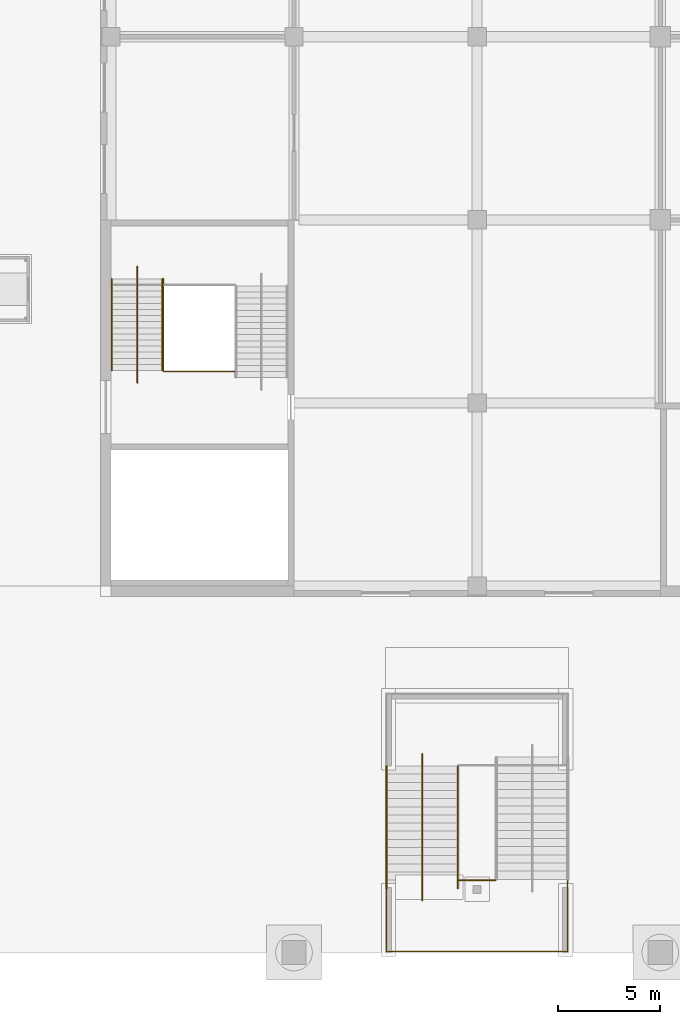
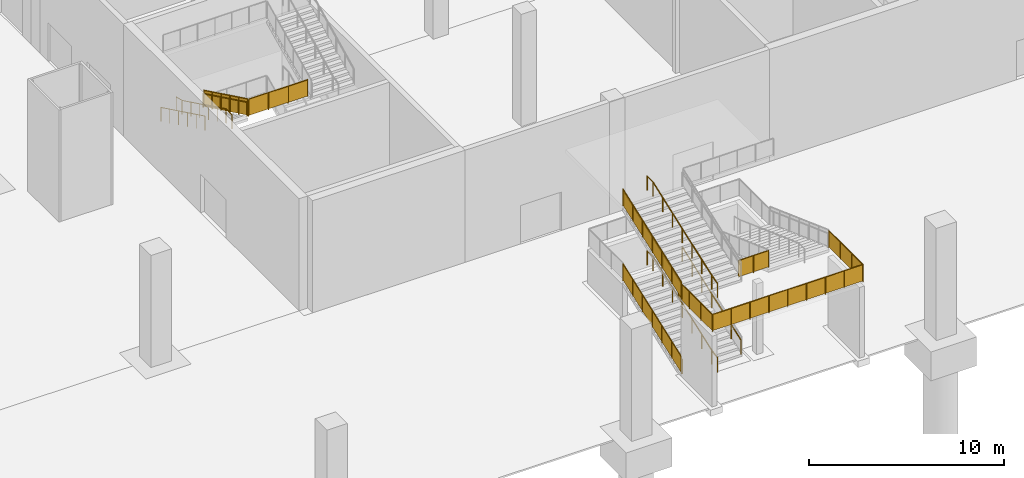
# One storey, part 51 of 92: 14 railings.
"""IFC4 building model written with IfcOpenShell, lengths in metres."""

from ifc_helpers import new_model, si_unit, direction, frame, origin, origin_2d, place, context, subcontext, project, spatial, polyline, circle, outline, extrude, material, type_object, element, save


model = new_model("IFC4")

# Units and contexts
model_context = context("Model", 3, precision=1e-05, world=origin(), true_north=direction((0.0, 1.0)))
body_context = subcontext(model_context, "Body", "Model", "MODEL_VIEW")
ifc_project = project(units=[si_unit("LENGTHUNIT", "METRE"), si_unit("AREAUNIT", "SQUARE_METRE"), si_unit("VOLUMEUNIT", "CUBIC_METRE"), si_unit("PLANEANGLEUNIT", "RADIAN"), si_unit("MASSUNIT", "GRAM", prefix="KILO")], contexts=[model_context])

# Site, building, storey
site_placement = place(None, origin())
site = spatial("IfcSite", under=ifc_project, at=site_placement, CompositionType="ELEMENT")
building_placement = place(site_placement, origin())
building = spatial("IfcBuilding", under=site, at=building_placement, Name="Silverbay Arena", CompositionType="ELEMENT")
storey_placement = place(building_placement, origin())
storey = spatial("IfcBuildingStorey", under=building, at=storey_placement, Name="L00", CompositionType="ELEMENT", Elevation=0.0)

# Railings
ifc_material_1 = material(Name="Stainless steel", Category="steel")
railing_type_1 = type_object("IfcRailingType", Name="Stair guard 1100", PredefinedType="GUARDRAIL", material=ifc_material_1)
railing_1_placement = place(storey_placement, frame((29.574951171875, 33.10009765625, 2.479248046875)))
element("IfcRailing", 1, at=railing_1_placement, inside=storey, type_object=railing_type_1, Name="Stair ST-WG1 L00 to L01 flight 2 guard left", PredefinedType="GUARDRAIL", context=body_context, shape_type="SweptSolid", body=[
    extrude(circle(Radius=0.02392578125, at=origin_2d()), frame((0.0, 0.0, 1.076171875), z_axis=(0.0, -0.899367854138, 0.437192706873), x_axis=(1.0, 0.0, 0.0)), (0.0, 0.0, 1.0), 5.00341796875),
    extrude(outline(polyline([(-0.008056640625, 0.046142578125), (0.907958984375, 0.491455078125), (0.907958984375, 1.494384765625), (-0.008056640625, 1.049072265625), (-0.008056640625, 0.046142578125)])), frame((0.0029296875, 0.0, 0.0), z_axis=(-1.0, 0.0, 0.0), x_axis=(0.0, -1.0, 0.0)), (0.0, 0.0, 1.0), 0.006103515625),
    extrude(outline(polyline([(-0.008056640625, 0.483642578125), (0.907958984375, 0.928955078125), (0.907958984375, 1.931884765625), (-0.008056640625, 1.486572265625), (-0.008056640625, 0.483642578125)])), frame((0.0029296875, -0.89990234375, 0.0), z_axis=(-1.0, 0.0, 0.0), x_axis=(0.0, -1.0, 0.0)), (0.0, 0.0, 1.0), 0.006103515625),
    extrude(outline(polyline([(-0.008056640625, 0.921142578125), (0.907958984375, 1.366455078125), (0.907958984375, 2.369384765625), (-0.008056640625, 1.924072265625), (-0.008056640625, 0.921142578125)])), frame((0.0029296875, -1.800048828125, 0.0), z_axis=(-1.0, 0.0, 0.0), x_axis=(0.0, -1.0, 0.0)), (0.0, 0.0, 1.0), 0.006103515625),
    extrude(outline(polyline([(-0.008056640625, 1.358642578125), (0.907958984375, 1.803955078125), (0.907958984375, 2.806884765625), (-0.008056640625, 2.361572265625), (-0.008056640625, 1.358642578125)])), frame((0.0029296875, -2.699951171875, 0.0), z_axis=(-1.0, 0.0, 0.0), x_axis=(0.0, -1.0, 0.0)), (0.0, 0.0, 1.0), 0.006103515625),
    extrude(outline(polyline([(-0.008056640625, 1.796142578125), (0.907958984375, 2.241455078125), (0.907958984375, 3.244384765625), (-0.008056640625, 2.799072265625), (-0.008056640625, 1.796142578125)])), frame((0.0029296875, -3.60009765625, 0.0), z_axis=(-1.0, 0.0, 0.0), x_axis=(0.0, -1.0, 0.0)), (0.0, 0.0, 1.0), 0.006103515625),
    extrude(circle(Radius=0.02099609375, at=origin_2d()), origin(), (0.0, 0.0, 1.0), 1.052001953125),
    extrude(circle(Radius=0.02099609375, at=origin_2d()), frame((0.0, -0.89990234375, 0.4375)), (0.0, 0.0, 1.0), 1.052001953125),
    extrude(circle(Radius=0.02099609375, at=origin_2d()), frame((0.0, -1.800048828125, 0.875)), (0.0, 0.0, 1.0), 1.052001953125),
    extrude(circle(Radius=0.02099609375, at=origin_2d()), frame((0.0, -2.699951171875, 1.3125)), (0.0, 0.0, 1.0), 1.052001953125),
    extrude(circle(Radius=0.02099609375, at=origin_2d()), frame((0.0, -3.60009765625, 1.75)), (0.0, 0.0, 1.0), 1.052001953125),
    extrude(circle(Radius=0.02099609375, at=origin_2d()), frame((0.0, -4.5, 2.1875)), (0.0, 0.0, 1.0), 1.052001953125),
])
railing_2_placement = place(storey_placement, frame((33.10009765625, 28.550048828125, 4.666748046875)))
element("IfcRailing", 2, at=railing_2_placement, inside=storey, type_object=railing_type_1, Name="Stair ST-WG1 L00 to L01 landing 2 guard", PredefinedType="GUARDRAIL", context=body_context, shape_type="SweptSolid", body=[
    extrude(circle(Radius=0.02392578125, at=origin_2d()), frame((0.0, 0.0, 1.076171875), z_axis=(-1.0, 0.0, 0.0), x_axis=(0.0, -1.0, 0.0)), (0.0, 0.0, 1.0), 3.5),
    extrude(outline(polyline([(-0.008056640625, 0.050048828125), (1.174560546875, 0.050048828125), (1.174560546875, 1.052978515625), (-0.008056640625, 1.052978515625), (-0.008056640625, 0.050048828125)])), frame((0.0, -0.0029296875, 0.0), z_axis=(0.0, 1.0, 0.0), x_axis=(-1.0, 0.0, 0.0)), (0.0, 0.0, 1.0), 0.006103515625),
    extrude(outline(polyline([(-0.008056640625, 0.050048828125), (1.174560546875, 0.050048828125), (1.174560546875, 1.052978515625), (-0.008056640625, 1.052978515625), (-0.008056640625, 0.050048828125)])), frame((-1.166748046875, -0.0029296875, 0.0), z_axis=(0.0, 1.0, 0.0), x_axis=(-1.0, 0.0, 0.0)), (0.0, 0.0, 1.0), 0.006103515625),
    extrude(outline(polyline([(-0.008056640625, 0.050048828125), (1.174560546875, 0.050048828125), (1.174560546875, 1.052978515625), (-0.008056640625, 1.052978515625), (-0.008056640625, 0.050048828125)])), frame((-2.333251953125, -0.0029296875, 0.0), z_axis=(0.0, 1.0, 0.0), x_axis=(-1.0, 0.0, 0.0)), (0.0, 0.0, 1.0), 0.006103515625),
    extrude(circle(Radius=0.02099609375, at=origin_2d()), origin(), (0.0, 0.0, 1.0), 1.052001953125),
    extrude(circle(Radius=0.02099609375, at=origin_2d()), frame((-1.166748046875, 0.0, 0.0)), (0.0, 0.0, 1.0), 1.052001953125),
    extrude(circle(Radius=0.02099609375, at=origin_2d()), frame((-2.333251953125, 0.0, 0.0)), (0.0, 0.0, 1.0), 1.052001953125),
    extrude(circle(Radius=0.02099609375, at=origin_2d()), frame((-3.5, 0.0, 0.0)), (0.0, 0.0, 1.0), 1.052001953125),
])
railing_3_placement = place(storey_placement, frame((40.52490234375, 3.162109375, 0.145751953125)))
element("IfcRailing", 3, at=railing_3_placement, inside=storey, type_object=railing_type_1, Name="Deck stair DS3 flight 1 guard left", PredefinedType="GUARDRAIL", context=body_context, shape_type="SweptSolid", body=[
    extrude(circle(Radius=0.02392578125, at=origin_2d()), frame((0.0, 0.0, 1.076171875), z_axis=(0.0, 0.939507356738, 0.342528723811), x_axis=(-1.0, 0.0, 0.0)), (0.0, 0.0, 1.0), 6.38623046875),
    extrude(outline(polyline([(-0.008056640625, 0.047119140625), (1.008056640625, 0.41748046875), (1.008056640625, 1.42041015625), (-0.008056640625, 1.050048828125), (-0.008056640625, 0.047119140625)])), frame((-0.0029296875, 0.0, 0.0), z_axis=(1.0, 0.0, 0.0), x_axis=(0.0, 1.0, 0.0)), (0.0, 0.0, 1.0), 0.006103515625),
    extrude(outline(polyline([(-0.008056640625, 0.41162109375), (1.008056640625, 0.781982421875), (1.008056640625, 1.78515625), (-0.008056640625, 1.41455078125), (-0.008056640625, 0.41162109375)])), frame((-0.0029296875, 1.0, 0.0), z_axis=(1.0, 0.0, 0.0), x_axis=(0.0, 1.0, 0.0)), (0.0, 0.0, 1.0), 0.006103515625),
    extrude(outline(polyline([(-0.008056640625, 0.7763671875), (1.008056640625, 1.146728515625), (1.008056640625, 2.149658203125), (-0.008056640625, 1.779296875), (-0.008056640625, 0.7763671875)])), frame((-0.0029296875, 2.0, 0.0), z_axis=(1.0, 0.0, 0.0), x_axis=(0.0, 1.0, 0.0)), (0.0, 0.0, 1.0), 0.006103515625),
    extrude(outline(polyline([(-0.008056640625, 1.140869140625), (1.008056640625, 1.51123046875), (1.008056640625, 2.51416015625), (-0.008056640625, 2.143798828125), (-0.008056640625, 1.140869140625)])), frame((-0.0029296875, 3.0, 0.0), z_axis=(1.0, 0.0, 0.0), x_axis=(0.0, 1.0, 0.0)), (0.0, 0.0, 1.0), 0.006103515625),
    extrude(outline(polyline([(-0.008056640625, 1.50537109375), (1.008056640625, 1.875732421875), (1.008056640625, 2.87890625), (-0.008056640625, 2.50830078125), (-0.008056640625, 1.50537109375)])), frame((-0.0029296875, 4.0, 0.0), z_axis=(1.0, 0.0, 0.0), x_axis=(0.0, 1.0, 0.0)), (0.0, 0.0, 1.0), 0.006103515625),
    extrude(outline(polyline([(-0.008056640625, 1.8701171875), (1.008056640625, 2.240478515625), (1.008056640625, 3.243408203125), (-0.008056640625, 2.873046875), (-0.008056640625, 1.8701171875)])), frame((-0.0029296875, 5.0, 0.0), z_axis=(1.0, 0.0, 0.0), x_axis=(0.0, 1.0, 0.0)), (0.0, 0.0, 1.0), 0.006103515625),
    extrude(circle(Radius=0.02099609375, at=origin_2d()), origin(), (0.0, 0.0, 1.0), 1.052001953125),
    extrude(circle(Radius=0.02099609375, at=origin_2d()), frame((0.0, 1.0, 0.364501953125)), (0.0, 0.0, 1.0), 1.052001953125),
    extrude(circle(Radius=0.02099609375, at=origin_2d()), frame((0.0, 2.0, 0.729248046875)), (0.0, 0.0, 1.0), 1.052001953125),
    extrude(circle(Radius=0.02099609375, at=origin_2d()), frame((0.0, 3.0, 1.09375)), (0.0, 0.0, 1.0), 1.052001953125),
    extrude(circle(Radius=0.02099609375, at=origin_2d()), frame((0.0, 4.0, 1.458251953125)), (0.0, 0.0, 1.0), 1.052001953125),
    extrude(circle(Radius=0.02099609375, at=origin_2d()), frame((0.0, 5.0, 1.822998046875)), (0.0, 0.0, 1.0), 1.052001953125),
    extrude(circle(Radius=0.02099609375, at=origin_2d()), frame((0.0, 6.0, 2.1875)), (0.0, 0.0, 1.0), 1.052001953125),
])
railing_4_placement = place(storey_placement, frame((40.52490234375, 3.162109375, 4.8125)))
element("IfcRailing", 4, at=railing_4_placement, inside=storey, type_object=railing_type_1, Name="Deck stair DS3 flight 3 guard left", PredefinedType="GUARDRAIL", context=body_context, shape_type="SweptSolid", body=[
    extrude(circle(Radius=0.02392578125, at=origin_2d()), frame((0.0, 0.0, 1.076171875), z_axis=(0.0, 0.939507356738, 0.342528723811), x_axis=(-1.0, 0.0, 0.0)), (0.0, 0.0, 1.0), 6.38623046875),
    extrude(outline(polyline([(-0.008056640625, 0.047119140625), (1.008056640625, 0.41748046875), (1.008056640625, 1.42041015625), (-0.008056640625, 1.050048828125), (-0.008056640625, 0.047119140625)])), frame((-0.0029296875, 0.0, 0.0), z_axis=(1.0, 0.0, 0.0), x_axis=(0.0, 1.0, 0.0)), (0.0, 0.0, 1.0), 0.006103515625),
    extrude(outline(polyline([(-0.008056640625, 0.41162109375), (1.008056640625, 0.781982421875), (1.008056640625, 1.78515625), (-0.008056640625, 1.41455078125), (-0.008056640625, 0.41162109375)])), frame((-0.0029296875, 1.0, 0.0), z_axis=(1.0, 0.0, 0.0), x_axis=(0.0, 1.0, 0.0)), (0.0, 0.0, 1.0), 0.006103515625),
    extrude(outline(polyline([(-0.008056640625, 0.7763671875), (1.008056640625, 1.146728515625), (1.008056640625, 2.149658203125), (-0.008056640625, 1.779296875), (-0.008056640625, 0.7763671875)])), frame((-0.0029296875, 2.0, 0.0), z_axis=(1.0, 0.0, 0.0), x_axis=(0.0, 1.0, 0.0)), (0.0, 0.0, 1.0), 0.006103515625),
    extrude(outline(polyline([(-0.008056640625, 1.140869140625), (1.008056640625, 1.51123046875), (1.008056640625, 2.51416015625), (-0.008056640625, 2.143798828125), (-0.008056640625, 1.140869140625)])), frame((-0.0029296875, 3.0, 0.0), z_axis=(1.0, 0.0, 0.0), x_axis=(0.0, 1.0, 0.0)), (0.0, 0.0, 1.0), 0.006103515625),
    extrude(outline(polyline([(-0.008056640625, 1.50537109375), (1.008056640625, 1.875732421875), (1.008056640625, 2.87890625), (-0.008056640625, 2.50830078125), (-0.008056640625, 1.50537109375)])), frame((-0.0029296875, 4.0, 0.0), z_axis=(1.0, 0.0, 0.0), x_axis=(0.0, 1.0, 0.0)), (0.0, 0.0, 1.0), 0.006103515625),
    extrude(outline(polyline([(-0.008056640625, 1.8701171875), (1.008056640625, 2.240478515625), (1.008056640625, 3.243408203125), (-0.008056640625, 2.873046875), (-0.008056640625, 1.8701171875)])), frame((-0.0029296875, 5.0, 0.0), z_axis=(1.0, 0.0, 0.0), x_axis=(0.0, 1.0, 0.0)), (0.0, 0.0, 1.0), 0.006103515625),
    extrude(circle(Radius=0.02099609375, at=origin_2d()), origin(), (0.0, 0.0, 1.0), 1.052001953125),
    extrude(circle(Radius=0.02099609375, at=origin_2d()), frame((0.0, 1.0, 0.364501953125)), (0.0, 0.0, 1.0), 1.052001953125),
    extrude(circle(Radius=0.02099609375, at=origin_2d()), frame((0.0, 2.0, 0.729248046875)), (0.0, 0.0, 1.0), 1.052001953125),
    extrude(circle(Radius=0.02099609375, at=origin_2d()), frame((0.0, 3.0, 1.09375)), (0.0, 0.0, 1.0), 1.052001953125),
    extrude(circle(Radius=0.02099609375, at=origin_2d()), frame((0.0, 4.0, 1.458251953125)), (0.0, 0.0, 1.0), 1.052001953125),
    extrude(circle(Radius=0.02099609375, at=origin_2d()), frame((0.0, 5.0, 1.822998046875)), (0.0, 0.0, 1.0), 1.052001953125),
    extrude(circle(Radius=0.02099609375, at=origin_2d()), frame((0.0, 6.0, 2.1875)), (0.0, 0.0, 1.0), 1.052001953125),
])
railing_5_placement = place(storey_placement, frame((40.550048828125, 3.550048828125, 4.666748046875)))
element("IfcRailing", 5, at=railing_5_placement, inside=storey, type_object=railing_type_1, Name="Deck stair DS3 landing 2 guard", PredefinedType="GUARDRAIL", context=body_context, shape_type="SweptSolid", body=[
    extrude(circle(Radius=0.02392578125, at=origin_2d()), frame((0.0, 0.0, 1.076171875), z_axis=(0.0, -1.0, 0.0), x_axis=(1.0, 0.0, 0.0)), (0.0, 0.0, 1.0), 3.5),
    extrude(outline(polyline([(-0.008056640625, 0.050048828125), (1.174560546875, 0.050048828125), (1.174560546875, 1.052978515625), (-0.008056640625, 1.052978515625), (-0.008056640625, 0.050048828125)])), frame((0.0029296875, 0.0, 0.0), z_axis=(-1.0, 0.0, 0.0), x_axis=(0.0, -1.0, 0.0)), (0.0, 0.0, 1.0), 0.006103515625),
    extrude(outline(polyline([(-0.008056640625, 0.050048828125), (1.174560546875, 0.050048828125), (1.174560546875, 1.052978515625), (-0.008056640625, 1.052978515625), (-0.008056640625, 0.050048828125)])), frame((0.0029296875, -1.166748046875, 0.0), z_axis=(-1.0, 0.0, 0.0), x_axis=(0.0, -1.0, 0.0)), (0.0, 0.0, 1.0), 0.006103515625),
    extrude(outline(polyline([(-0.008056640625, 0.050048828125), (1.174560546875, 0.050048828125), (1.174560546875, 1.052978515625), (-0.008056640625, 1.052978515625), (-0.008056640625, 0.050048828125)])), frame((0.0029296875, -2.333251953125, 0.0), z_axis=(-1.0, 0.0, 0.0), x_axis=(0.0, -1.0, 0.0)), (0.0, 0.0, 1.0), 0.006103515625),
    extrude(circle(Radius=0.02392578125, at=origin_2d()), frame((0.0, -3.5, 1.076171875), z_axis=(1.0, 0.0, 0.0), x_axis=(0.0, 1.0, 0.0)), (0.0, 0.0, 1.0), 8.89990234375),
    extrude(outline(polyline([(-0.008056640625, 0.050048828125), (1.12060546875, 0.050048828125), (1.12060546875, 1.052978515625), (-0.008056640625, 1.052978515625), (-0.008056640625, 0.050048828125)])), frame((0.0, -3.4970703125, 0.0), z_axis=(0.0, -1.0, 0.0), x_axis=(1.0, 0.0, 0.0)), (0.0, 0.0, 1.0), 0.006103515625),
    extrude(outline(polyline([(-0.008056640625, 0.050048828125), (1.12060546875, 0.050048828125), (1.12060546875, 1.052978515625), (-0.008056640625, 1.052978515625), (-0.008056640625, 0.050048828125)])), frame((1.112548828125, -3.4970703125, 0.0), z_axis=(0.0, -1.0, 0.0), x_axis=(1.0, 0.0, 0.0)), (0.0, 0.0, 1.0), 0.006103515625),
    extrude(outline(polyline([(-0.008056640625, 0.050048828125), (1.12060546875, 0.050048828125), (1.12060546875, 1.052978515625), (-0.008056640625, 1.052978515625), (-0.008056640625, 0.050048828125)])), frame((2.22509765625, -3.4970703125, 0.0), z_axis=(0.0, -1.0, 0.0), x_axis=(1.0, 0.0, 0.0)), (0.0, 0.0, 1.0), 0.006103515625),
    extrude(outline(polyline([(-0.008056640625, 0.050048828125), (1.12060546875, 0.050048828125), (1.12060546875, 1.052978515625), (-0.008056640625, 1.052978515625), (-0.008056640625, 0.050048828125)])), frame((3.33740234375, -3.4970703125, 0.0), z_axis=(0.0, -1.0, 0.0), x_axis=(1.0, 0.0, 0.0)), (0.0, 0.0, 1.0), 0.006103515625),
    extrude(outline(polyline([(-0.008056640625, 0.050048828125), (1.12060546875, 0.050048828125), (1.12060546875, 1.052978515625), (-0.008056640625, 1.052978515625), (-0.008056640625, 0.050048828125)])), frame((4.449951171875, -3.4970703125, 0.0), z_axis=(0.0, -1.0, 0.0), x_axis=(1.0, 0.0, 0.0)), (0.0, 0.0, 1.0), 0.006103515625),
    extrude(outline(polyline([(-0.008056640625, 0.050048828125), (1.12060546875, 0.050048828125), (1.12060546875, 1.052978515625), (-0.008056640625, 1.052978515625), (-0.008056640625, 0.050048828125)])), frame((5.5625, -3.4970703125, 0.0), z_axis=(0.0, -1.0, 0.0), x_axis=(1.0, 0.0, 0.0)), (0.0, 0.0, 1.0), 0.006103515625),
    extrude(outline(polyline([(-0.008056640625, 0.050048828125), (1.12060546875, 0.050048828125), (1.12060546875, 1.052978515625), (-0.008056640625, 1.052978515625), (-0.008056640625, 0.050048828125)])), frame((6.6748046875, -3.4970703125, 0.0), z_axis=(0.0, -1.0, 0.0), x_axis=(1.0, 0.0, 0.0)), (0.0, 0.0, 1.0), 0.006103515625),
    extrude(outline(polyline([(-0.008056640625, 0.050048828125), (1.12060546875, 0.050048828125), (1.12060546875, 1.052978515625), (-0.008056640625, 1.052978515625), (-0.008056640625, 0.050048828125)])), frame((7.787353515625, -3.4970703125, 0.0), z_axis=(0.0, -1.0, 0.0), x_axis=(1.0, 0.0, 0.0)), (0.0, 0.0, 1.0), 0.006103515625),
    extrude(circle(Radius=0.02392578125, at=origin_2d()), frame((8.89990234375, -3.5, 1.076171875), z_axis=(0.0, 1.0, 0.0), x_axis=(-1.0, 0.0, 0.0)), (0.0, 0.0, 1.0), 3.5),
    extrude(outline(polyline([(-0.008056640625, 0.050048828125), (1.174560546875, 0.050048828125), (1.174560546875, 1.052978515625), (-0.008056640625, 1.052978515625), (-0.008056640625, 0.050048828125)])), frame((8.89697265625, -3.5, 0.0), z_axis=(1.0, 0.0, 0.0), x_axis=(0.0, 1.0, 0.0)), (0.0, 0.0, 1.0), 0.006103515625),
    extrude(outline(polyline([(-0.008056640625, 0.050048828125), (1.174560546875, 0.050048828125), (1.174560546875, 1.052978515625), (-0.008056640625, 1.052978515625), (-0.008056640625, 0.050048828125)])), frame((8.89697265625, -2.333251953125, 0.0), z_axis=(1.0, 0.0, 0.0), x_axis=(0.0, 1.0, 0.0)), (0.0, 0.0, 1.0), 0.006103515625),
    extrude(outline(polyline([(-0.008056640625, 0.050048828125), (1.174560546875, 0.050048828125), (1.174560546875, 1.052978515625), (-0.008056640625, 1.052978515625), (-0.008056640625, 0.050048828125)])), frame((8.89697265625, -1.166748046875, 0.0), z_axis=(1.0, 0.0, 0.0), x_axis=(0.0, 1.0, 0.0)), (0.0, 0.0, 1.0), 0.006103515625),
    extrude(circle(Radius=0.02099609375, at=origin_2d()), origin(), (0.0, 0.0, 1.0), 1.052001953125),
    extrude(circle(Radius=0.02099609375, at=origin_2d()), frame((0.0, -1.166748046875, 0.0)), (0.0, 0.0, 1.0), 1.052001953125),
    extrude(circle(Radius=0.02099609375, at=origin_2d()), frame((0.0, -2.333251953125, 0.0)), (0.0, 0.0, 1.0), 1.052001953125),
    extrude(circle(Radius=0.02099609375, at=origin_2d()), frame((0.0, -3.5, 0.0)), (0.0, 0.0, 1.0), 1.052001953125),
    extrude(circle(Radius=0.02099609375, at=origin_2d()), frame((1.112548828125, -3.5, 0.0)), (0.0, 0.0, 1.0), 1.052001953125),
    extrude(circle(Radius=0.02099609375, at=origin_2d()), frame((2.22509765625, -3.5, 0.0)), (0.0, 0.0, 1.0), 1.052001953125),
    extrude(circle(Radius=0.02099609375, at=origin_2d()), frame((3.33740234375, -3.5, 0.0)), (0.0, 0.0, 1.0), 1.052001953125),
    extrude(circle(Radius=0.02099609375, at=origin_2d()), frame((4.449951171875, -3.5, 0.0)), (0.0, 0.0, 1.0), 1.052001953125),
    extrude(circle(Radius=0.02099609375, at=origin_2d()), frame((5.5625, -3.5, 0.0)), (0.0, 0.0, 1.0), 1.052001953125),
    extrude(circle(Radius=0.02099609375, at=origin_2d()), frame((6.6748046875, -3.5, 0.0)), (0.0, 0.0, 1.0), 1.052001953125),
    extrude(circle(Radius=0.02099609375, at=origin_2d()), frame((7.787353515625, -3.5, 0.0)), (0.0, 0.0, 1.0), 1.052001953125),
    extrude(circle(Radius=0.02099609375, at=origin_2d()), frame((8.89990234375, -3.5, 0.0)), (0.0, 0.0, 1.0), 1.052001953125),
    extrude(circle(Radius=0.02099609375, at=origin_2d()), frame((8.89990234375, -2.333251953125, 0.0)), (0.0, 0.0, 1.0), 1.052001953125),
    extrude(circle(Radius=0.02099609375, at=origin_2d()), frame((8.89990234375, -1.166748046875, 0.0)), (0.0, 0.0, 1.0), 1.052001953125),
    extrude(circle(Radius=0.02099609375, at=origin_2d()), frame((8.89990234375, 0.0, 0.0)), (0.0, 0.0, 1.0), 1.052001953125),
])
railing_6_placement = place(storey_placement, frame((44.10009765625, 3.550048828125, 4.666748046875)))
element("IfcRailing", 6, at=railing_6_placement, inside=storey, type_object=railing_type_1, Name="Deck stair DS3 landing 2 guard", PredefinedType="GUARDRAIL", context=body_context, shape_type="SweptSolid", body=[
    extrude(circle(Radius=0.02392578125, at=origin_2d()), frame((0.0, 0.0, 1.076171875), z_axis=(1.0, 0.0, 0.0), x_axis=(0.0, 1.0, 0.0)), (0.0, 0.0, 1.0), 1.7998046875),
    extrude(outline(polyline([(-0.008056640625, 0.050048828125), (0.907958984375, 0.050048828125), (0.907958984375, 1.052978515625), (-0.008056640625, 1.052978515625), (-0.008056640625, 0.050048828125)])), frame((0.0, 0.0029296875, 0.0), z_axis=(0.0, -1.0, 0.0), x_axis=(1.0, 0.0, 0.0)), (0.0, 0.0, 1.0), 0.006103515625),
    extrude(outline(polyline([(-0.008056640625, 0.050048828125), (0.907958984375, 0.050048828125), (0.907958984375, 1.052978515625), (-0.008056640625, 1.052978515625), (-0.008056640625, 0.050048828125)])), frame((0.89990234375, 0.0029296875, 0.0), z_axis=(0.0, -1.0, 0.0), x_axis=(1.0, 0.0, 0.0)), (0.0, 0.0, 1.0), 0.006103515625),
    extrude(circle(Radius=0.02099609375, at=origin_2d()), origin(), (0.0, 0.0, 1.0), 1.052001953125),
    extrude(circle(Radius=0.02099609375, at=origin_2d()), frame((0.89990234375, 0.0, 0.0)), (0.0, 0.0, 1.0), 1.052001953125),
    extrude(circle(Radius=0.02099609375, at=origin_2d()), frame((1.7998046875, 0.0, 0.0)), (0.0, 0.0, 1.0), 1.052001953125),
])
ifc_material_2 = material(Name="Stainless steel", Category="steel")
railing_type_2 = type_object("IfcRailingType", Name="Stair handrail 900", PredefinedType="HANDRAIL", material=ifc_material_2)
for number, where, name in (
    (7, (29.535888671875, 33.10009765625, 2.479248046875), "Stair ST-WG1 L00 to L01 flight 2 handrail left"),
    (8, (27.050048828125, 33.10009765625, 2.479248046875), "Stair ST-WG1 L00 to L01 flight 2 handrail right"),
):
    element("IfcRailing", number, at=place(storey_placement, frame(where)), inside=storey, type_object=railing_type_2, Name=name, PredefinedType="HANDRAIL", context=body_context, shape_type="SweptSolid", body=[
        extrude(circle(Radius=0.02392578125, at=origin_2d()), frame((0.0, 0.0, 0.8759765625), z_axis=(0.0, -0.899367854138, 0.437192706873), x_axis=(1.0, 0.0, 0.0)), (0.0, 0.0, 1.0), 5.00341796875),
        extrude(circle(Radius=0.02099609375, at=origin_2d()), origin(), (0.0, 0.0, 1.0), 0.851806640625),
        extrude(circle(Radius=0.02099609375, at=origin_2d()), frame((0.0, -0.89990234375, 0.4375)), (0.0, 0.0, 1.0), 0.851806640625),
        extrude(circle(Radius=0.02099609375, at=origin_2d()), frame((0.0, -1.800048828125, 0.875)), (0.0, 0.0, 1.0), 0.851806640625),
        extrude(circle(Radius=0.02099609375, at=origin_2d()), frame((0.0, -2.699951171875, 1.3125)), (0.0, 0.0, 1.0), 0.851806640625),
        extrude(circle(Radius=0.02099609375, at=origin_2d()), frame((0.0, -3.60009765625, 1.75)), (0.0, 0.0, 1.0), 0.851806640625),
        extrude(circle(Radius=0.02099609375, at=origin_2d()), frame((0.0, -4.5, 2.1875)), (0.0, 0.0, 1.0), 0.851806640625),
    ])
railing_7_placement = place(storey_placement, frame((28.300048828125, 33.699951171875, 2.333251953125)))
element("IfcRailing", 9, at=railing_7_placement, inside=storey, type_object=railing_type_2, Name="Stair ST-WG1 L00 to L01 flight 2 central handrail", PredefinedType="HANDRAIL", context=body_context, shape_type="SweptSolid", body=[
    extrude(circle(Radius=0.02392578125, at=origin_2d()), frame((0.0, 0.0, 0.8759765625), z_axis=(0.0, -0.971635685089, 0.236482759334), x_axis=(1.0, 0.0, 0.0)), (0.0, 0.0, 1.0), 0.617431640625),
    extrude(circle(Radius=0.02392578125, at=origin_2d()), frame((0.0, -0.599853515625, 1.02197265625), z_axis=(0.0, -0.899367854138, 0.437192706873), x_axis=(1.0, 0.0, 0.0)), (0.0, 0.0, 1.0), 5.00341796875),
    extrude(circle(Radius=0.02392578125, at=origin_2d()), frame((0.0, -5.099853515625, 3.20947265625), z_axis=(0.0, -1.0, 0.0), x_axis=(1.0, 0.0, 0.0)), (0.0, 0.0, 1.0), 0.60009765625),
    extrude(circle(Radius=0.02099609375, at=origin_2d()), origin(), (0.0, 0.0, 1.0), 0.851806640625),
    extrude(circle(Radius=0.02099609375, at=origin_2d()), frame((0.0, -0.599853515625, 0.14599609375)), (0.0, 0.0, 1.0), 0.851806640625),
    extrude(circle(Radius=0.02099609375, at=origin_2d()), frame((0.0, -1.499755859375, 0.58349609375)), (0.0, 0.0, 1.0), 0.851806640625),
    extrude(circle(Radius=0.02099609375, at=origin_2d()), frame((0.0, -2.39990234375, 1.02099609375)), (0.0, 0.0, 1.0), 0.851806640625),
    extrude(circle(Radius=0.02099609375, at=origin_2d()), frame((0.0, -3.2998046875, 1.45849609375)), (0.0, 0.0, 1.0), 0.851806640625),
    extrude(circle(Radius=0.02099609375, at=origin_2d()), frame((0.0, -4.199951171875, 1.89599609375)), (0.0, 0.0, 1.0), 0.851806640625),
    extrude(circle(Radius=0.02099609375, at=origin_2d()), frame((0.0, -5.099853515625, 2.33349609375)), (0.0, 0.0, 1.0), 0.851806640625),
    extrude(circle(Radius=0.02099609375, at=origin_2d()), frame((0.0, -5.699951171875, 2.33349609375)), (0.0, 0.0, 1.0), 0.851806640625),
])
for number, where, name in (
    (10, (40.56396484375, 3.162109375, 0.145751953125), "Deck stair DS3 flight 1 handrail left"),
    (11, (44.035888671875, 3.162109375, 0.145751953125), "Deck stair DS3 flight 1 handrail right"),
):
    element("IfcRailing", number, at=place(storey_placement, frame(where)), inside=storey, type_object=railing_type_2, Name=name, PredefinedType="HANDRAIL", context=body_context, shape_type="SweptSolid", body=[
        extrude(circle(Radius=0.02392578125, at=origin_2d()), frame((0.0, 0.0, 0.8759765625), z_axis=(0.0, 0.939507356738, 0.342528723811), x_axis=(-1.0, 0.0, 0.0)), (0.0, 0.0, 1.0), 6.38623046875),
        extrude(circle(Radius=0.02099609375, at=origin_2d()), origin(), (0.0, 0.0, 1.0), 0.851806640625),
        extrude(circle(Radius=0.02099609375, at=origin_2d()), frame((0.0, 1.0, 0.364501953125)), (0.0, 0.0, 1.0), 0.851806640625),
        extrude(circle(Radius=0.02099609375, at=origin_2d()), frame((0.0, 2.0, 0.729248046875)), (0.0, 0.0, 1.0), 0.851806640625),
        extrude(circle(Radius=0.02099609375, at=origin_2d()), frame((0.0, 3.0, 1.09375)), (0.0, 0.0, 1.0), 0.851806640625),
        extrude(circle(Radius=0.02099609375, at=origin_2d()), frame((0.0, 4.0, 1.458251953125)), (0.0, 0.0, 1.0), 0.851806640625),
        extrude(circle(Radius=0.02099609375, at=origin_2d()), frame((0.0, 5.0, 1.822998046875)), (0.0, 0.0, 1.0), 0.851806640625),
        extrude(circle(Radius=0.02099609375, at=origin_2d()), frame((0.0, 6.0, 2.1875)), (0.0, 0.0, 1.0), 0.851806640625),
    ])
railing_8_placement = place(storey_placement, frame((42.300048828125, 2.56201171875, 0.0)))
element("IfcRailing", 12, at=railing_8_placement, inside=storey, type_object=railing_type_2, Name="Deck stair DS3 flight 1 central handrail", PredefinedType="HANDRAIL", context=body_context, shape_type="SweptSolid", body=[
    extrude(circle(Radius=0.02392578125, at=origin_2d()), frame((0.0, 0.0, 0.8759765625), z_axis=(0.0, 0.971748522905, 0.236018660771), x_axis=(-1.0, 0.0, 0.0)), (0.0, 0.0, 1.0), 0.617431640625),
    extrude(circle(Radius=0.02392578125, at=origin_2d()), frame((0.0, 0.60009765625, 1.021484375), z_axis=(0.0, 0.939507356738, 0.342528723811), x_axis=(-1.0, 0.0, 0.0)), (0.0, 0.0, 1.0), 6.38623046875),
    extrude(circle(Radius=0.02392578125, at=origin_2d()), frame((0.0, 6.60009765625, 3.208984375), z_axis=(0.0, 1.0, 0.0), x_axis=(-1.0, 0.0, 0.0)), (0.0, 0.0, 1.0), 0.599853515625),
    extrude(circle(Radius=0.02099609375, at=origin_2d()), origin(), (0.0, 0.0, 1.0), 0.851806640625),
    extrude(circle(Radius=0.02099609375, at=origin_2d()), frame((0.0, 0.60009765625, 0.145751953125)), (0.0, 0.0, 1.0), 0.851806640625),
    extrude(circle(Radius=0.02099609375, at=origin_2d()), frame((0.0, 1.60009765625, 0.51025390625)), (0.0, 0.0, 1.0), 0.851806640625),
    extrude(circle(Radius=0.02099609375, at=origin_2d()), frame((0.0, 2.60009765625, 0.875)), (0.0, 0.0, 1.0), 0.851806640625),
    extrude(circle(Radius=0.02099609375, at=origin_2d()), frame((0.0, 3.60009765625, 1.239501953125)), (0.0, 0.0, 1.0), 0.851806640625),
    extrude(circle(Radius=0.02099609375, at=origin_2d()), frame((0.0, 4.60009765625, 1.60400390625)), (0.0, 0.0, 1.0), 0.851806640625),
    extrude(circle(Radius=0.02099609375, at=origin_2d()), frame((0.0, 5.60009765625, 1.96875)), (0.0, 0.0, 1.0), 0.851806640625),
    extrude(circle(Radius=0.02099609375, at=origin_2d()), frame((0.0, 6.60009765625, 2.333251953125)), (0.0, 0.0, 1.0), 0.851806640625),
    extrude(circle(Radius=0.02099609375, at=origin_2d()), frame((0.0, 7.199951171875, 2.333251953125)), (0.0, 0.0, 1.0), 0.851806640625),
])
railing_9_placement = place(storey_placement, frame((40.56396484375, 3.162109375, 4.8125)))
element("IfcRailing", 13, at=railing_9_placement, inside=storey, type_object=railing_type_2, Name="Deck stair DS3 flight 3 handrail left", PredefinedType="HANDRAIL", context=body_context, shape_type="SweptSolid", body=[
    extrude(circle(Radius=0.02392578125, at=origin_2d()), frame((0.0, 0.0, 0.8759765625), z_axis=(0.0, 0.939507356738, 0.342528723811), x_axis=(-1.0, 0.0, 0.0)), (0.0, 0.0, 1.0), 6.38623046875),
    extrude(circle(Radius=0.02099609375, at=origin_2d()), origin(), (0.0, 0.0, 1.0), 0.851806640625),
    extrude(circle(Radius=0.02099609375, at=origin_2d()), frame((0.0, 1.0, 0.364501953125)), (0.0, 0.0, 1.0), 0.851806640625),
    extrude(circle(Radius=0.02099609375, at=origin_2d()), frame((0.0, 2.0, 0.729248046875)), (0.0, 0.0, 1.0), 0.851806640625),
    extrude(circle(Radius=0.02099609375, at=origin_2d()), frame((0.0, 3.0, 1.09375)), (0.0, 0.0, 1.0), 0.851806640625),
    extrude(circle(Radius=0.02099609375, at=origin_2d()), frame((0.0, 4.0, 1.458251953125)), (0.0, 0.0, 1.0), 0.851806640625),
    extrude(circle(Radius=0.02099609375, at=origin_2d()), frame((0.0, 5.0, 1.822998046875)), (0.0, 0.0, 1.0), 0.851806640625),
    extrude(circle(Radius=0.02099609375, at=origin_2d()), frame((0.0, 6.0, 2.1875)), (0.0, 0.0, 1.0), 0.851806640625),
])
railing_10_placement = place(storey_placement, frame((42.300048828125, 2.56201171875, 4.666748046875)))
element("IfcRailing", 14, at=railing_10_placement, inside=storey, type_object=railing_type_2, Name="Deck stair DS3 flight 3 central handrail", PredefinedType="HANDRAIL", context=body_context, shape_type="SweptSolid", body=[
    extrude(circle(Radius=0.02392578125, at=origin_2d()), frame((0.0, 0.0, 0.8759765625), z_axis=(0.0, 0.971748522905, 0.236018660771), x_axis=(-1.0, 0.0, 0.0)), (0.0, 0.0, 1.0), 0.617431640625),
    extrude(circle(Radius=0.02392578125, at=origin_2d()), frame((0.0, 0.60009765625, 1.021484375), z_axis=(0.0, 0.939507356738, 0.342528723811), x_axis=(-1.0, 0.0, 0.0)), (0.0, 0.0, 1.0), 6.38623046875),
    extrude(circle(Radius=0.02392578125, at=origin_2d()), frame((0.0, 6.60009765625, 3.208984375), z_axis=(0.0, 1.0, 0.0), x_axis=(-1.0, 0.0, 0.0)), (0.0, 0.0, 1.0), 0.599853515625),
    extrude(circle(Radius=0.02099609375, at=origin_2d()), origin(), (0.0, 0.0, 1.0), 0.851806640625),
    extrude(circle(Radius=0.02099609375, at=origin_2d()), frame((0.0, 0.60009765625, 0.145751953125)), (0.0, 0.0, 1.0), 0.851806640625),
    extrude(circle(Radius=0.02099609375, at=origin_2d()), frame((0.0, 1.60009765625, 0.51025390625)), (0.0, 0.0, 1.0), 0.851806640625),
    extrude(circle(Radius=0.02099609375, at=origin_2d()), frame((0.0, 2.60009765625, 0.875)), (0.0, 0.0, 1.0), 0.851806640625),
    extrude(circle(Radius=0.02099609375, at=origin_2d()), frame((0.0, 3.60009765625, 1.239501953125)), (0.0, 0.0, 1.0), 0.851806640625),
    extrude(circle(Radius=0.02099609375, at=origin_2d()), frame((0.0, 4.60009765625, 1.60400390625)), (0.0, 0.0, 1.0), 0.851806640625),
    extrude(circle(Radius=0.02099609375, at=origin_2d()), frame((0.0, 5.60009765625, 1.96875)), (0.0, 0.0, 1.0), 0.851806640625),
    extrude(circle(Radius=0.02099609375, at=origin_2d()), frame((0.0, 6.60009765625, 2.333251953125)), (0.0, 0.0, 1.0), 0.851806640625),
    extrude(circle(Radius=0.02099609375, at=origin_2d()), frame((0.0, 7.199951171875, 2.333251953125)), (0.0, 0.0, 1.0), 0.851806640625),
])

save(model, "model.ifc")
